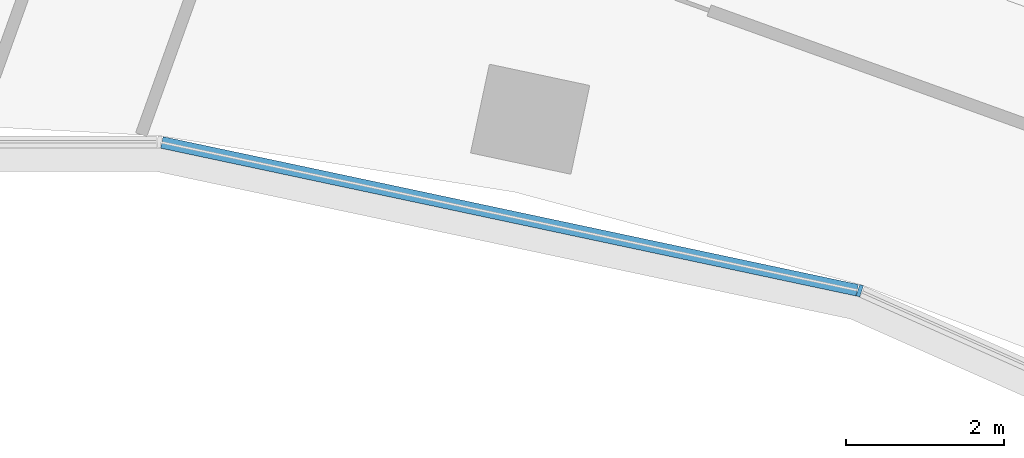
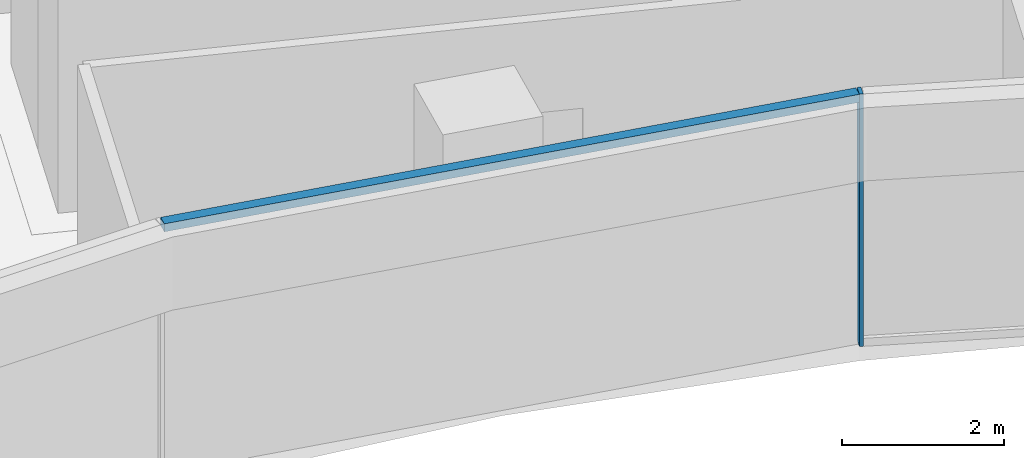
# One storey, part 5 of 22: 2 members, 1 element without a shape of its own.
"""IFC4 building model written with IfcOpenShell, lengths in metres."""

from ifc_helpers import new_model, si_unit, direction, frame, origin, origin_2d, place, context, subcontext, project, spatial, rectangle, extrude, material, layer, layer_set, material_profile, profile_set, type_object, element, aggregate, save


model = new_model("IFC4")

# Units and contexts
model_context = context("Model", 3, precision=1e-05, world=origin(), true_north=direction((0.0, 1.0)))
body_context = subcontext(model_context, "Body", "Model", "MODEL_VIEW")
ifc_project = project(units=[si_unit("LENGTHUNIT", "METRE"), si_unit("AREAUNIT", "SQUARE_METRE"), si_unit("VOLUMEUNIT", "CUBIC_METRE"), si_unit("PLANEANGLEUNIT", "RADIAN"), si_unit("MASSUNIT", "GRAM", prefix="KILO")], contexts=[model_context])

# Site, building, storey
site_placement = place(None, origin())
site = spatial("IfcSite", under=ifc_project, at=site_placement, CompositionType="ELEMENT")
building_placement = place(site_placement, origin())
building = spatial("IfcBuilding", under=site, at=building_placement, Name="Stone Belt Terrace Tower", CompositionType="ELEMENT")
storey_placement = place(building_placement, frame((0.0, 0.0, 109.800048828125)))
storey = spatial("IfcBuildingStorey", under=building, at=storey_placement, Name="L26", CompositionType="ELEMENT", Elevation=109.800048828125)

# Curtain wall, members
ifc_material = material(Name="Aluminium 6063-T6 anodised frame", Category="aluminium")
ifc_layer = layer(ifc_material, 0.14990234375)
ifc_layer_set = layer_set([ifc_layer], Name="CW-B unitised concave-face curtain wall")
curtain_wall_type = type_object("IfcCurtainWallType", Name="CW-B unitised concave-face curtain wall", PredefinedType="NOTDEFINED", material=ifc_layer_set)
curtain_wall_placement = place(storey_placement, origin())
curtain_wall = element("IfcCurtainWall", 1, at=curtain_wall_placement, inside=storey, type_object=curtain_wall_type, Name="CW-B concave face L26", PredefinedType="NOTDEFINED")
ifc_material_profile_1 = material_profile(ifc_material, rectangle(XDim=0.14990234375, YDim=0.050048828125, at=origin_2d()), Name="Aluminium 6063-T6 50x150")
ifc_profile_set_1 = profile_set([ifc_material_profile_1], Name="Aluminium 6063-T6 anodised frame")
member_type_1 = type_object("IfcMemberType", Name="CW-B mullion 50 x 150", PredefinedType="MULLION", material=ifc_profile_set_1)
member_1_placement = place(storey_placement, frame((13.4189453125, 41.29931640625, 0.0), z_axis=(0.0, 0.0, 1.0), x_axis=(0.309016994375, 0.951056516295, 0.0)))
member_1 = element("IfcMember", 2, at=member_1_placement, type_object=member_type_1, Name="CW-B mullion 7", PredefinedType="MULLION", context=body_context, shape_type="SweptSolid", body=[
    extrude(rectangle(XDim=0.14990234375, YDim=0.050048828125, at=origin_2d()), origin(), (0.0, 0.0, 1.0), 3.800048828125),
])
ifc_material_profile_2 = material_profile(ifc_material, rectangle(XDim=0.14990234375, YDim=0.1201171875, at=origin_2d()), Name="Aluminium 6063-T6 150x120")
ifc_profile_set_2 = profile_set([ifc_material_profile_2], Name="Aluminium 6063-T6 anodised frame")
member_type_2 = type_object("IfcMemberType", Name="CW-B transom 120 x 150", PredefinedType="USERDEFINED", material=ifc_profile_set_2)
member_2_placement = place(storey_placement, frame((4.571044921875, 43.179931640625, 3.739990234375), z_axis=(0.9781499003, -0.207900871914, 0.0), x_axis=(0.207900871914, 0.9781499003, 0.0)))
member_2 = element("IfcMember", 3, at=member_2_placement, type_object=member_type_2, Name="CW-B transom 6.1", ObjectType="TRANSOM", PredefinedType="USERDEFINED", context=body_context, shape_type="SweptSolid", body=[
    extrude(rectangle(XDim=0.14990234375, YDim=0.1201171875, at=origin_2d()), origin(), (0.0, 0.0, 1.0), 9.012939453125),
])
aggregate(curtain_wall, [member_1, member_2])

save(model, "model.ifc")
